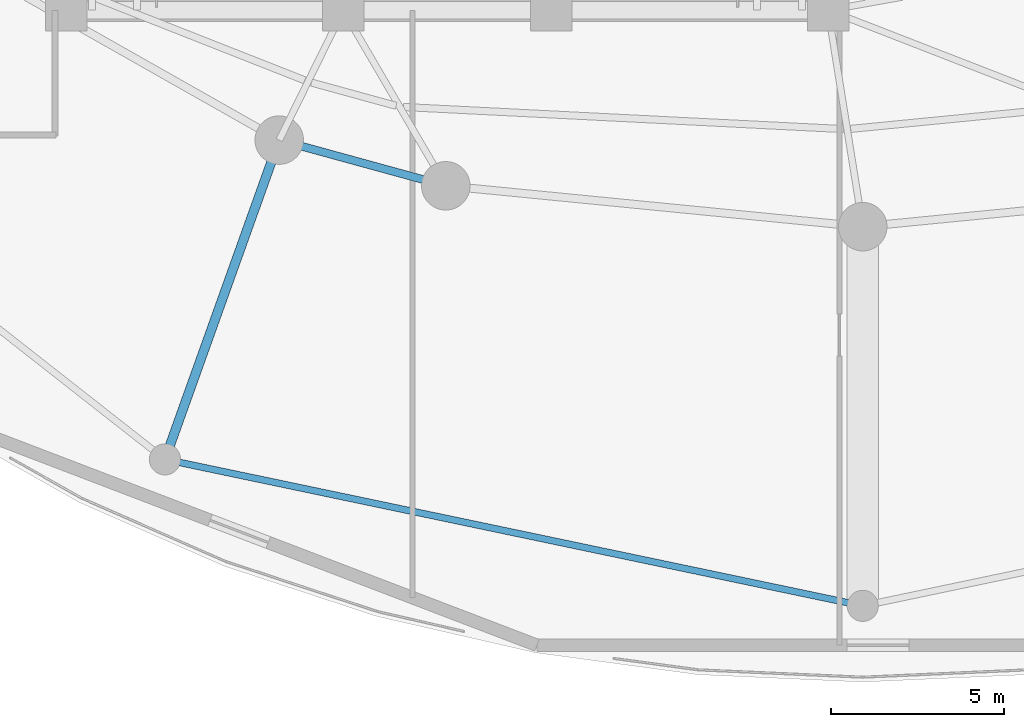
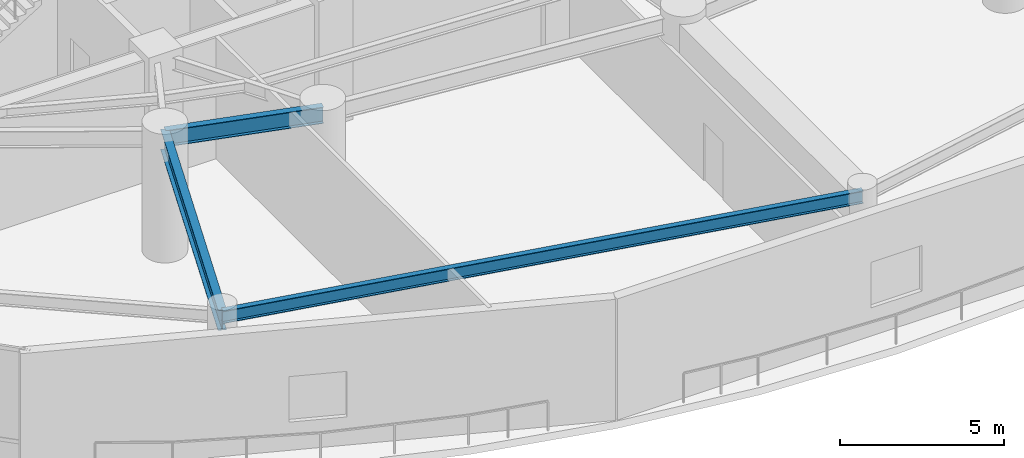
# One storey, part 3 of 36: 3 beams.
"""IFC4 building model written with IfcOpenShell, lengths in metres."""

import ifcopenshell
import ifcopenshell.guid

model = None  # the IFC model being written
_history = None  # IfcOwnerHistory: only IFC2X3 demands one
_inside = {}  # id of a spatial element -> (the spatial element, [elements in it])
_under = {}  # id of a project, library or spatial element -> (it, [spatial elements below it])
_declared = {}  # id of a project -> (the project, [libraries it declares])
_typed = {}  # id of a type object -> (the type object, [elements of that type])
_made_of = {}  # id of a material, layer set ... -> (it, [elements and type objects made of it])


def new_model(schema):
    """Start an empty IFC model of exactly this schema.

    Asked for "IFC4X3", IfcOpenShell would pick the latest addendum, in which some entities
    have other attributes; the version numbers below select the first issue.
    IFC2X3 requires an IfcOwnerHistory on every rooted entity: one is made here for all.
    """
    global model, _history
    if schema == "IFC4X3":
        model = ifcopenshell.file(schema_version=(4, 3, 0, 0))
    else:
        model = ifcopenshell.file(schema=schema)
    _inside.clear()
    _under.clear()
    _declared.clear()
    _typed.clear()
    _made_of.clear()
    _history = None
    if model.schema == "IFC2X3":
        org = make("IfcOrganization", Name="unknown")
        user = make(
            "IfcPersonAndOrganization",
            ThePerson=make("IfcPerson", FamilyName="unknown"),
            TheOrganization=org,
        )
        app = make(
            "IfcApplication",
            ApplicationDeveloper=org,
            Version="unknown",
            ApplicationFullName="unknown",
            ApplicationIdentifier="unknown",
        )
        _history = make(
            "IfcOwnerHistory",
            OwningUser=user,
            OwningApplication=app,
            ChangeAction="ADDED",
            CreationDate=0,
        )
    return model


def make(cls, **values):
    """One entity of the class cls with the attributes given. An attribute that is None is left unset."""
    return model.create_entity(
        cls, **{name: value for name, value in values.items() if value is not None}
    )


def rooted(cls, **values):
    """An entity with a GlobalId (a new one), such as an element, a storey or a relation."""
    return make(cls, GlobalId=ifcopenshell.guid.new(), OwnerHistory=_history, **values)


def si_unit(unit_type, name, prefix=None):
    """IfcSIUnit, for example si_unit("LENGTHUNIT", "METRE", prefix="MILLI")."""
    return make("IfcSIUnit", UnitType=unit_type, Prefix=prefix, Name=name)


def assignment(units):
    """IfcUnitAssignment: the units of a project."""
    return None if units is None else make("IfcUnitAssignment", Units=units)


def point(xyz):
    """IfcCartesianPoint."""
    return None if xyz is None else make("IfcCartesianPoint", Coordinates=xyz)


def direction(xyz):
    """IfcDirection."""
    return None if xyz is None else make("IfcDirection", DirectionRatios=xyz)


def frame(location, z_axis=None, x_axis=None):
    """IfcAxis2Placement3D, a coordinate frame: its origin and axes. An axis left out is left unset."""
    return make(
        "IfcAxis2Placement3D",
        Location=point(location),
        Axis=direction(z_axis),
        RefDirection=direction(x_axis),
    )


def frame_2d(location, x_axis=None):
    """IfcAxis2Placement2D, a coordinate frame in the plane: its origin and x axis."""
    return make(
        "IfcAxis2Placement2D", Location=point(location), RefDirection=direction(x_axis)
    )


def origin():
    """The frame at (0, 0, 0) with its axes left unset."""
    return frame((0.0, 0.0, 0.0))


def origin_2d():
    """The frame at (0, 0) in the plane with its x axis left unset."""
    return frame_2d((0.0, 0.0))


def place(relative_to, where):
    """IfcLocalPlacement: puts the frame where relative to a parent placement (None: the world)."""
    return make(
        "IfcLocalPlacement", PlacementRelTo=relative_to, RelativePlacement=where
    )


def context(
    kind, dimensions, precision=None, world=None, true_north=None, identifier=None
):
    """IfcGeometricRepresentationContext, for example the 3D "Model" context."""
    return make(
        "IfcGeometricRepresentationContext",
        ContextIdentifier=identifier,
        ContextType=kind,
        CoordinateSpaceDimension=dimensions,
        Precision=precision,
        WorldCoordinateSystem=world,
        TrueNorth=true_north,
    )


def subcontext(parent, identifier, kind, view, scale=None):
    """IfcGeometricRepresentationSubContext, for example "Body" below "Model"."""
    return make(
        "IfcGeometricRepresentationSubContext",
        ContextIdentifier=identifier,
        ContextType=kind,
        ParentContext=parent,
        TargetScale=scale,
        TargetView=view,
    )


def project(units=None, contexts=None):
    """IfcProject with its units and contexts."""
    return rooted(
        "IfcProject",
        Name="project",
        RepresentationContexts=contexts,
        UnitsInContext=assignment(units),
    )


def spatial(cls, under=None, at=None, **own):
    """A site, building, storey or space (cls), placed at a placement, below another one or the project."""
    s = rooted(cls, ObjectPlacement=at, **own)
    if under is not None:
        _under.setdefault(under.id(), (under, []))[1].append(s)
    return s


def profile(cls, at=None, kind="AREA", **sizes):
    """A parametric profile (cls). Its sizes go by their IFC names, for example OverallWidth=200.0."""
    return make(cls, ProfileType=kind, Position=at, **sizes)


def i_section(**sizes):
    """IfcIShapeProfileDef."""
    return profile("IfcIShapeProfileDef", **sizes)


def extrude(swept, where, along, depth):
    """IfcExtrudedAreaSolid: the profile swept, set in the frame where, extruded along a direction by depth."""
    return make(
        "IfcExtrudedAreaSolid",
        SweptArea=swept,
        Position=where,
        ExtrudedDirection=direction(along),
        Depth=depth,
    )


def shape(context_of_items, identifier, shape_type, items):
    """IfcShapeRepresentation: the items that make up one representation, for example the "Body"."""
    return make(
        "IfcShapeRepresentation",
        ContextOfItems=context_of_items,
        RepresentationIdentifier=identifier,
        RepresentationType=shape_type,
        Items=items,
    )


def material(Name=None, Category=None):
    """IfcMaterial."""
    return make("IfcMaterial", Name=Name, Category=Category)


def material_profile(
    of_material, cross_section, Name=None, Category=None, Priority=None
):
    """IfcMaterialProfile: a cross section and its material."""
    return make(
        "IfcMaterialProfile",
        Name=Name,
        Material=of_material,
        Profile=cross_section,
        Priority=Priority,
        Category=Category,
    )


def profile_set(profiles, Name=None, composite=None):
    """IfcMaterialProfileSet."""
    return make(
        "IfcMaterialProfileSet",
        Name=Name,
        MaterialProfiles=profiles,
        CompositeProfile=composite,
    )


def made_of(thing, what):
    """Note that an element or type object is made of a material, layer set ...; save() writes the relation."""
    if what is not None:
        _made_of.setdefault(what.id(), (what, []))[1].append(thing)
    return thing


def type_object(cls, material=None, **own):
    """A type object (cls), such as IfcWallType, which elements share."""
    return made_of(rooted(cls, **own), material)


def element(
    cls,
    number,
    at=None,
    inside=None,
    cuts=None,
    type_object=None,
    material=None,
    context=None,
    identifier="Body",
    shape_type=None,
    held_by="IfcProductDefinitionShape",
    body=None,
    shapes=None,
    **own,
):
    """One element of the class cls, such as IfcWall. Its Tag is "e" and its number.

    at: its placement. inside: the storey or other place that contains it. cuts: it is an
    opening in that element (IfcRelVoidsElement). A single representation is given by context,
    identifier, shape_type and body (its items); several are given by shapes. held_by: the class
    of the entity that holds the representations. save() writes the other relations.
    """
    e = rooted(cls, Tag="e%d" % number, ObjectPlacement=at, **own)
    if body is not None:
        shapes = [shape(context, identifier, shape_type, body)]
    if shapes is not None:
        e.Representation = make(held_by, Representations=shapes)
    if inside is not None:
        _inside.setdefault(inside.id(), (inside, []))[1].append(e)
    if cuts is not None:
        rooted(
            "IfcRelVoidsElement", RelatingBuildingElement=cuts, RelatedOpeningElement=e
        )
    if type_object is not None:
        _typed.setdefault(type_object.id(), (type_object, []))[1].append(e)
    return made_of(e, material)


def aggregate(whole, parts):
    """IfcRelAggregates: a whole, such as a stair, and the parts it consists of."""
    return rooted("IfcRelAggregates", RelatingObject=whole, RelatedObjects=parts)


def save(model, path):
    """Write the relations noted so far, then the file.

    IfcRelAggregates (storeys below a building ...), IfcRelContainedInSpatialStructure (elements
    in a storey), IfcRelDefinesByType, IfcRelAssociatesMaterial and IfcRelDeclares: one each for
    every whole, place, type object, material and project.
    """
    for whole, parts in _under.values():
        aggregate(whole, parts)
    for where, things in _inside.values():
        rooted(
            "IfcRelContainedInSpatialStructure",
            RelatedElements=things,
            RelatingStructure=where,
        )
    for kind, things in _typed.values():
        rooted("IfcRelDefinesByType", RelatedObjects=things, RelatingType=kind)
    for what, things in _made_of.values():
        rooted("IfcRelAssociatesMaterial", RelatedObjects=things, RelatingMaterial=what)
    for by, libraries in _declared.values():
        rooted("IfcRelDeclares", RelatingContext=by, RelatedDefinitions=libraries)
    model.write(path)


model = new_model("IFC4")

# Units and contexts
model_context = context("Model", 3, precision=1e-05, world=origin(), true_north=direction((0.0, 1.0)))
body_context = subcontext(model_context, "Body", "Model", "MODEL_VIEW")
ifc_project = project(units=[si_unit("LENGTHUNIT", "METRE"), si_unit("AREAUNIT", "SQUARE_METRE"), si_unit("VOLUMEUNIT", "CUBIC_METRE"), si_unit("PLANEANGLEUNIT", "RADIAN"), si_unit("MASSUNIT", "GRAM", prefix="KILO")], contexts=[model_context])

# Site, building, storey
site_placement = place(None, origin())
site = spatial("IfcSite", under=ifc_project, at=site_placement, CompositionType="ELEMENT")
building_placement = place(site_placement, origin())
building = spatial("IfcBuilding", under=site, at=building_placement, Name="Kazevale Care Tower and Concert Hall", CompositionType="ELEMENT")
storey_placement = place(building_placement, frame((0.0, 0.0, 14.39990234375)))
storey = spatial("IfcBuildingStorey", under=building, at=storey_placement, Name="L03", CompositionType="ELEMENT", Elevation=14.39990234375)

# Beams
ifc_material = material(Name="Steel ASTM A572 Gr 50", Category="steel")
ifc_material_profile_1 = material_profile(ifc_material, i_section(OverallWidth=0.194091796875, OverallDepth=0.468994140625, WebThickness=0.0126953125, FlangeThickness=0.0205078125, at=origin_2d()), Name="W460x106")
ifc_profile_set_1 = profile_set([ifc_material_profile_1], Name="Steel ASTM A572 Gr 50")
beam_type_1 = type_object("IfcBeamType", Name="Podium Floor Beam W460x106", PredefinedType="BEAM", material=ifc_profile_set_1)
beam_1_placement = place(storey_placement, frame((24.85009765625, 10.6298828125, 4.28564453125), z_axis=(0.978668137727, -0.205447502293, 0.0), x_axis=(0.205447502293, 0.978668137727, 0.0)))
element("IfcBeam", 1, at=beam_1_placement, inside=storey, type_object=beam_type_1, Name="beam:L03:podring:09", PredefinedType="BEAM", context=body_context, shape_type="SweptSolid", body=[
    extrude(i_section(OverallWidth=0.194091796875, OverallDepth=0.468994140625, WebThickness=0.0126953125, FlangeThickness=0.0205078125, at=origin_2d()), origin(), (0.0, 0.0, 1.0), 20.589111328125),
])
ifc_material_profile_2 = material_profile(ifc_material, i_section(OverallWidth=0.26806640625, OverallDepth=0.77001953125, WebThickness=0.015625, FlangeThickness=0.025390625, at=origin_2d()), Name="W760x196")
ifc_profile_set_2 = profile_set([ifc_material_profile_2], Name="Steel ASTM A572 Gr 50")
beam_type_2 = type_object("IfcBeamType", Name="Podium Primary Girder W760x196", PredefinedType="BEAM", material=ifc_profile_set_2)
beam_2_placement = place(storey_placement, frame((28.14990234375, 19.85009765625, 4.135009765625), z_axis=(-0.336958566987, -0.941519476237, 0.0), x_axis=(0.941519476237, -0.336958566987, 0.0)))
element("IfcBeam", 2, at=beam_2_placement, inside=storey, type_object=beam_type_2, Name="beam:L03:podrad:09", PredefinedType="BEAM", context=body_context, shape_type="SweptSolid", body=[
    extrude(i_section(OverallWidth=0.26806640625, OverallDepth=0.77001953125, WebThickness=0.015625, FlangeThickness=0.025390625, at=origin_2d()), origin(), (0.0, 0.0, 1.0), 9.79296875),
])
ifc_material_profile_3 = material_profile(ifc_material, i_section(OverallWidth=0.22900390625, OverallDepth=0.612060546875, WebThickness=0.011962890625, FlangeThickness=0.01953125, at=origin_2d()), Name="W610x125")
ifc_profile_set_3 = profile_set([ifc_material_profile_3], Name="Steel ASTM A572 Gr 50")
beam_type_3 = type_object("IfcBeamType", Name="Ring Spandrel Beam W610x125", PredefinedType="SPANDREL", material=ifc_profile_set_3)
beam_3_placement = place(storey_placement, frame((28.14990234375, 19.85009765625, 4.214111328125), z_axis=(0.964343540473, -0.264653615031, 0.0), x_axis=(0.264653615031, 0.964343540473, 0.0)))
element("IfcBeam", 3, at=beam_3_placement, inside=storey, type_object=beam_type_3, Name="beam:L03:ring:11", PredefinedType="SPANDREL", context=body_context, shape_type="SweptSolid", body=[
    extrude(i_section(OverallWidth=0.22900390625, OverallDepth=0.612060546875, WebThickness=0.011962890625, FlangeThickness=0.01953125, at=origin_2d()), origin(), (0.0, 0.0, 1.0), 4.98779296875),
])

save(model, "model.ifc")
